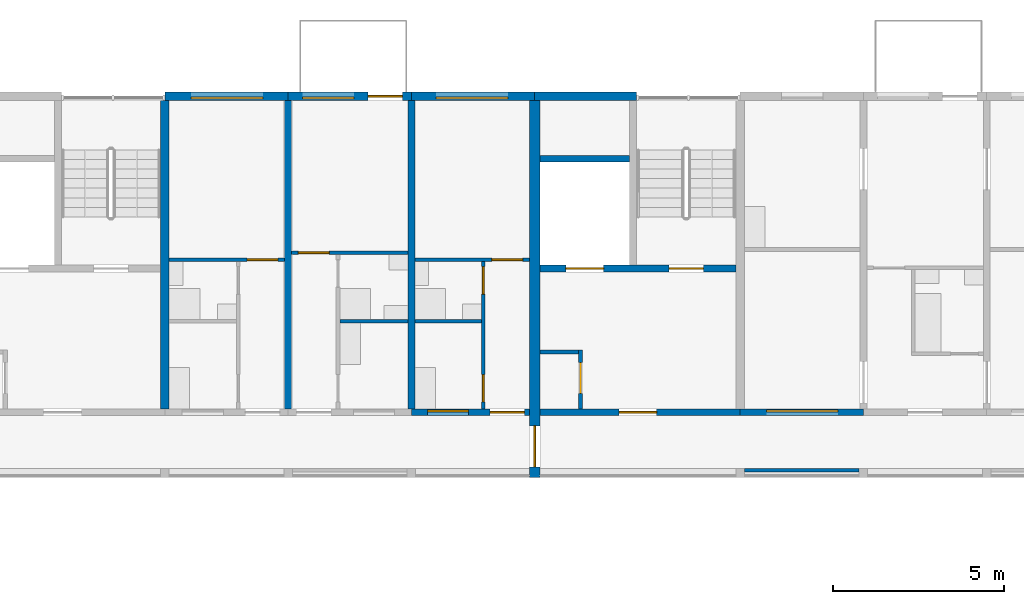
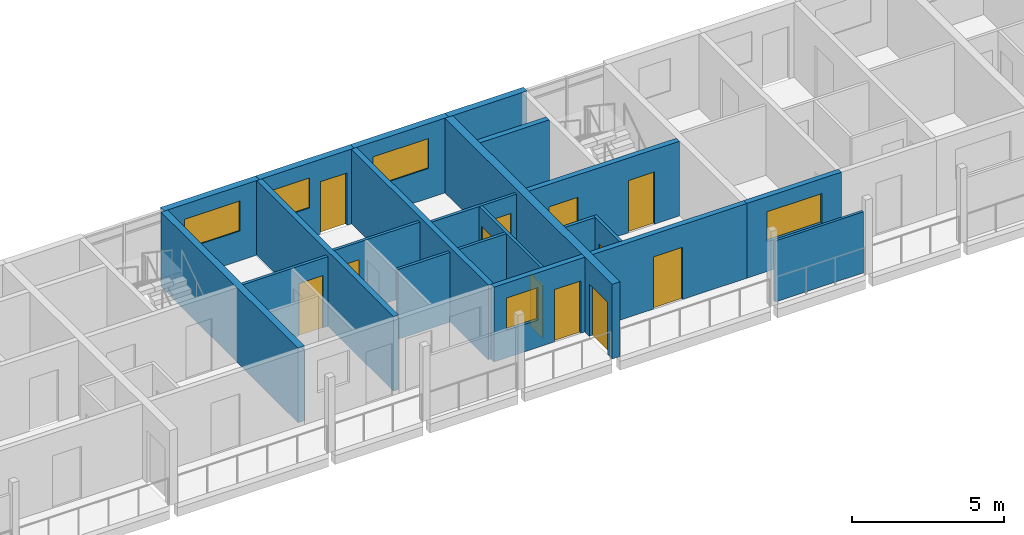
# One storey, part 50 of 115: 22 walls, 12 doors, 5 windows, 17 openings.
"""IFC4 building model written with IfcOpenShell, lengths in metres."""

from ifc_helpers import new_model, si_unit, direction, frame, frame_2d, origin, place, context, subcontext, project, spatial, rectangle, extrude, material, layer, layer_set, type_object, element, fill, save


model = new_model("IFC4")

# Units and contexts
model_context = context("Model", 3, precision=1e-05, world=origin(), true_north=direction((0.0, 1.0)))
body_context = subcontext(model_context, "Body", "Model", "MODEL_VIEW")
ifc_project = project(units=[si_unit("LENGTHUNIT", "METRE"), si_unit("AREAUNIT", "SQUARE_METRE"), si_unit("VOLUMEUNIT", "CUBIC_METRE"), si_unit("PLANEANGLEUNIT", "RADIAN"), si_unit("MASSUNIT", "GRAM", prefix="KILO")], contexts=[model_context])

# Site, building, storey
site_placement = place(None, origin())
site = spatial("IfcSite", under=ifc_project, at=site_placement, CompositionType="ELEMENT")
building_placement = place(site_placement, origin())
building = spatial("IfcBuilding", under=site, at=building_placement, Name="Ridgestep Commons", CompositionType="ELEMENT")
storey_placement = place(building_placement, frame((0.0, 0.0, 6.0)))
storey = spatial("IfcBuildingStorey", under=building, at=storey_placement, Name="L02", CompositionType="ELEMENT", Elevation=6.0)

# Wall
ifc_material_1 = material(Name="Concrete C30/37", Category="concrete")
ifc_layer_1 = layer(ifc_material_1, 0.25)
ifc_layer_set_1 = layer_set([ifc_layer_1], Name="Core cross wall 250")
wall_type_1 = type_object("IfcWallType", Name="Core cross wall 250", PredefinedType="SHEAR", material=ifc_layer_set_1)
wall_1_placement = place(storey_placement, frame((34.800048828125, 68.0, 0.0), z_axis=(0.0, 0.0, 1.0), x_axis=(0.0, 1.0, 0.0)))
element("IfcWall", 1, at=wall_1_placement, inside=storey, type_object=wall_type_1, Name="Cross wall B-02-0348", PredefinedType="SHEAR", context=body_context, shape_type="SweptSolid", body=[
    extrude(rectangle(XDim=9.0, YDim=0.25, at=frame_2d((4.5, 0.0))), origin(), (0.0, 0.0, 1.0), 3.0),
])

# Wall, opening, door
ifc_material_2 = material(Name="Concrete C30/37", Category="concrete")
ifc_layer_2 = layer(ifc_material_2, 0.199951171875)
ifc_layer_set_2 = layer_set([ifc_layer_2], Name="Core south wall 200")
wall_type_2 = type_object("IfcWallType", Name="Core south wall 200", PredefinedType="SHEAR", material=ifc_layer_set_2)
wall_2_placement = place(storey_placement, frame((45.75, 67.89990234375, 0.0), z_axis=(0.0, 0.0, 1.0), x_axis=(1.0, 0.0, 0.0)))
wall_2 = element("IfcWall", 2, at=wall_2_placement, inside=storey, type_object=wall_type_2, Name="Core south wall B3C L02", PredefinedType="SHEAR", context=body_context, shape_type="SweptSolid", body=[
    extrude(rectangle(XDim=5.85009765625, YDim=0.199951171875, at=frame_2d((2.925048828125, 0.0))), origin(), (0.0, 0.0, 1.0), 3.0),
])
opening_1_placement = place(wall_2_placement, frame((2.3125, 0.0, 0.0)))
opening_1 = element("IfcOpeningElement", 3, at=opening_1_placement, cuts=wall_2, Name="Opening B3C/02/1", PredefinedType="OPENING", context=body_context, shape_type="SweptSolid", body=[
    extrude(rectangle(XDim=1.10009765625, YDim=2.10009765625, at=frame_2d((0.550048828125, 1.050048828125))), frame((0.0, 0.10986328125, 0.0), z_axis=(0.0, -1.0, 0.0), x_axis=(1.0, 0.0, 0.0)), (0.0, 0.0, 1.0), 0.219970703125),
])
ifc_material_3 = material(Name="Steel fire door", Category="steel")
door_type_1 = type_object("IfcDoorType", Name="Lobby door 1100 x 2100 FD60", OperationType="NOTDEFINED", PredefinedType="DOOR", material=ifc_material_3)
door_1_placement = place(opening_1_placement, origin())
door_1 = element("IfcDoor", 4, at=door_1_placement, inside=storey, type_object=door_type_1, Name="Lobby door B3C/02/1", OperationType="SINGLE_SWING_LEFT", OverallHeight=2.10009765625, OverallWidth=1.10009765625, PredefinedType="DOOR", context=body_context, shape_type="SweptSolid", body=[
    extrude(rectangle(XDim=1.10009765625, YDim=2.10009765625, at=frame_2d((0.550048828125, 1.050048828125))), frame((0.0, 0.02490234375, 0.0), z_axis=(0.0, -1.0, 0.0), x_axis=(1.0, 0.0, 0.0)), (0.0, 0.0, 1.0), 0.050048828125),
])
fill(opening_1, door_1)

ifc_material_4 = material(Name="Concrete C30/37", Category="concrete")
ifc_layer_3 = layer(ifc_material_4, 0.1201171875)
ifc_layer_set_3 = layer_set([ifc_layer_3], Name="Core wall 120")
wall_type_3 = type_object("IfcWallType", Name="Core wall 120", PredefinedType="SHEAR", material=ifc_layer_set_3)
wall_3_placement = place(storey_placement, frame((46.93994140625, 68.0, 0.0), z_axis=(0.0, 0.0, 1.0), x_axis=(0.0, 1.0, 0.0)))
wall_3 = element("IfcWall", 5, at=wall_3_placement, inside=storey, type_object=wall_type_3, Name="Core riser w wall B3C L02", PredefinedType="SHEAR", context=body_context, shape_type="SweptSolid", body=[
    extrude(rectangle(XDim=1.719970703125, YDim=0.1201171875, at=frame_2d((0.85986328125, 0.0))), origin(), (0.0, 0.0, 1.0), 3.0),
])
opening_2_placement = place(wall_3_placement, frame((0.449951171875, 0.0, 0.0)))
opening_2 = element("IfcOpeningElement", 6, at=opening_2_placement, cuts=wall_3, Name="Opening B3C/02/4", PredefinedType="OPENING", context=body_context, shape_type="SweptSolid", body=[
    extrude(rectangle(XDim=0.89990234375, YDim=2.10009765625, at=frame_2d((0.449951171875, 1.050048828125))), frame((0.0, 0.070068359375, 0.0), z_axis=(0.0, -1.0, 0.0), x_axis=(1.0, 0.0, 0.0)), (0.0, 0.0, 1.0), 0.14013671875),
])
ifc_material_5 = material(Name="Steel fire door", Category="steel")
door_type_2 = type_object("IfcDoorType", Name="Riser door 900 x 2100 FD60", OperationType="NOTDEFINED", PredefinedType="DOOR", material=ifc_material_5)
door_2_placement = place(opening_2_placement, origin())
door_2 = element("IfcDoor", 7, at=door_2_placement, inside=storey, type_object=door_type_2, Name="Riser door B3C/02/4", OperationType="SINGLE_SWING_RIGHT", OverallHeight=2.10009765625, OverallWidth=0.89990234375, PredefinedType="DOOR", context=body_context, shape_type="SweptSolid", body=[
    extrude(rectangle(XDim=0.89990234375, YDim=2.10009765625, at=frame_2d((0.449951171875, 1.050048828125))), frame((0.0, 0.02490234375, 0.0), z_axis=(0.0, -1.0, 0.0), x_axis=(1.0, 0.0, 0.0)), (0.0, 0.0, 1.0), 0.050048828125),
])
fill(opening_2, door_2)

# Wall
wall_4_placement = place(storey_placement, frame((45.75, 69.659912109375, 0.0), z_axis=(0.0, 0.0, 1.0), x_axis=(1.0, 0.0, 0.0)))
element("IfcWall", 8, at=wall_4_placement, inside=storey, type_object=wall_type_3, Name="Core riser n wall B3C L02", PredefinedType="SHEAR", context=body_context, shape_type="SweptSolid", body=[
    extrude(rectangle(XDim=1.1298828125, YDim=0.1201171875, at=frame_2d((0.56494140625, 0.0))), origin(), (0.0, 0.0, 1.0), 3.0),
])

# Wall, openings, doors
ifc_material_6 = material(Name="Concrete C30/37", Category="concrete")
ifc_layer_4 = layer(ifc_material_6, 0.199951171875)
ifc_layer_set_4 = layer_set([ifc_layer_4], Name="Core wall 200")
wall_type_4 = type_object("IfcWallType", Name="Core wall 200", PredefinedType="SHEAR", material=ifc_layer_set_4)
wall_5_placement = place(storey_placement, frame((45.75, 72.10009765625, 0.0), z_axis=(0.0, 0.0, 1.0), x_axis=(1.0, 0.0, 0.0)))
wall_5 = element("IfcWall", 9, at=wall_5_placement, inside=storey, type_object=wall_type_4, Name="Core lobby wall B3C L02", PredefinedType="SHEAR", context=body_context, shape_type="SweptSolid", body=[
    extrude(rectangle(XDim=5.72509765625, YDim=0.199951171875, at=frame_2d((2.862548828125, 0.0))), origin(), (0.0, 0.0, 1.0), 3.0),
])
opening_3_placement = place(wall_5_placement, frame((3.77490234375, 0.0, 0.0)))
opening_3 = element("IfcOpeningElement", 10, at=opening_3_placement, cuts=wall_5, Name="Opening B3C/02/2", PredefinedType="OPENING", context=body_context, shape_type="SweptSolid", body=[
    extrude(rectangle(XDim=1.0, YDim=2.10009765625, at=frame_2d((0.5, 1.050048828125))), frame((0.0, 0.10986328125, 0.0), z_axis=(0.0, -1.0, 0.0), x_axis=(1.0, 0.0, 0.0)), (0.0, 0.0, 1.0), 0.219970703125),
])
opening_4_placement = place(wall_5_placement, frame((0.762451171875, 0.0, 0.0)))
opening_4 = element("IfcOpeningElement", 11, at=opening_4_placement, cuts=wall_5, Name="Opening B3C/02/3", PredefinedType="OPENING", context=body_context, shape_type="SweptSolid", body=[
    extrude(rectangle(XDim=1.10009765625, YDim=2.10009765625, at=frame_2d((0.550048828125, 1.050048828125))), frame((0.0, 0.10986328125, 0.0), z_axis=(0.0, -1.0, 0.0), x_axis=(1.0, 0.0, 0.0)), (0.0, 0.0, 1.0), 0.219970703125),
])
ifc_material_7 = material(Name="Stainless steel", Category="steel")
door_type_3 = type_object("IfcDoorType", Name="Lift landing door 1100 x 2100 FD60", OperationType="DOUBLE_DOOR_SLIDING", PredefinedType="DOOR", material=ifc_material_7)
door_3_placement = place(opening_4_placement, origin())
door_3 = element("IfcDoor", 12, at=door_3_placement, inside=storey, type_object=door_type_3, Name="Landing door LD B3C L02", OperationType="DOUBLE_DOOR_SLIDING", OverallHeight=2.10009765625, OverallWidth=1.10009765625, PredefinedType="DOOR", context=body_context, shape_type="SweptSolid", body=[
    extrude(rectangle(XDim=1.10009765625, YDim=2.10009765625, at=frame_2d((0.550048828125, 1.050048828125))), frame((0.0, 0.02490234375, 0.0), z_axis=(0.0, -1.0, 0.0), x_axis=(1.0, 0.0, 0.0)), (0.0, 0.0, 1.0), 0.050048828125),
])
fill(opening_4, door_3)
ifc_material_8 = material(Name="Steel fire door", Category="steel")
door_type_4 = type_object("IfcDoorType", Name="Stair door 1000 x 2100 FD60", OperationType="NOTDEFINED", PredefinedType="DOOR", material=ifc_material_8)
door_4_placement = place(opening_3_placement, origin())
door_4 = element("IfcDoor", 13, at=door_4_placement, inside=storey, type_object=door_type_4, Name="Stair door B3C/02/2", OperationType="SINGLE_SWING_RIGHT", OverallHeight=2.10009765625, OverallWidth=1.0, PredefinedType="DOOR", context=body_context, shape_type="SweptSolid", body=[
    extrude(rectangle(XDim=1.0, YDim=2.10009765625, at=frame_2d((0.5, 1.050048828125))), frame((0.0, 0.02490234375, 0.0), z_axis=(0.0, -1.0, 0.0), x_axis=(1.0, 0.0, 0.0)), (0.0, 0.0, 1.0), 0.050048828125),
])
fill(opening_3, door_4)

# Walls
wall_6_placement = place(storey_placement, frame((45.75, 75.300048828125, 0.0), z_axis=(0.0, 0.0, 1.0), x_axis=(1.0, 0.0, 0.0)))
element("IfcWall", 14, at=wall_6_placement, inside=storey, type_object=wall_type_4, Name="Core duct wall B3C L02", PredefinedType="SHEAR", context=body_context, shape_type="SweptSolid", body=[
    extrude(rectangle(XDim=2.625, YDim=0.199951171875, at=frame_2d((1.3125, 0.0))), origin(), (0.0, 0.0, 1.0), 3.0),
])
ifc_material_9 = material(Name="Precast concrete C40/50", Category="concrete")
ifc_layer_5 = layer(ifc_material_9, 0.199951171875)
ifc_layer_set_5 = layer_set([ifc_layer_5], Name="Cross wall 200")
wall_type_5 = type_object("IfcWallType", Name="Cross wall 200", PredefinedType="SHEAR", material=ifc_layer_set_5)
for number, where, z_axis, x_axis, name in (
    (15, (38.39990234375, 68.0, 0.0), (0.0, 0.0, 1.0), (0.0, 1.0, 0.0), "Cross wall B-02-0384"),
    (16, (42.0, 68.0, 0.0), (0.0, 0.0, 1.0), (0.0, 1.0, 0.0), "Cross wall B-02-0420"),
):
    element("IfcWall", number, at=place(storey_placement, frame(where, z_axis=z_axis, x_axis=x_axis)), inside=storey, type_object=wall_type_5, Name=name, PredefinedType="SHEAR", context=body_context, shape_type="SweptSolid", body=[
        extrude(rectangle(XDim=9.0, YDim=0.199951171875, at=frame_2d((4.5, 0.0))), origin(), (0.0, 0.0, 1.0), 3.0),
    ])

# Wall, opening, door
ifc_material_10 = material(Name="Precast concrete C40/50", Category="concrete")
ifc_layer_6 = layer(ifc_material_10, 0.300048828125)
ifc_layer_set_6 = layer_set([ifc_layer_6], Name="Division wall 300")
wall_type_6 = type_object("IfcWallType", Name="Division wall 300", PredefinedType="SHEAR", material=ifc_layer_set_6)
wall_7_placement = place(storey_placement, frame((45.60009765625, 66.0, 0.0), z_axis=(0.0, 0.0, 1.0), x_axis=(0.0, 1.0, 0.0)))
wall_7 = element("IfcWall", 17, at=wall_7_placement, inside=storey, type_object=wall_type_6, Name="Cross wall B-02-0456", PredefinedType="SHEAR", context=body_context, shape_type="SweptSolid", body=[
    extrude(rectangle(XDim=11.0, YDim=0.300048828125, at=frame_2d((5.5, 0.0))), origin(), (0.0, 0.0, 1.0), 3.0),
])
opening_5_placement = place(wall_7_placement, frame((0.300048828125, 0.0, 0.0)))
opening_5 = element("IfcOpeningElement", 18, at=opening_5_placement, cuts=wall_7, Name="Opening B/02/G0456", PredefinedType="OPENING", context=body_context, shape_type="SweptSolid", body=[
    extrude(rectangle(XDim=1.199951171875, YDim=2.10009765625, at=frame_2d((0.60009765625, 1.050048828125))), frame((0.0, 0.159912109375, 0.0), z_axis=(0.0, -1.0, 0.0), x_axis=(1.0, 0.0, 0.0)), (0.0, 0.0, 1.0), 0.320068359375),
])
ifc_material_11 = material(Name="Steel fire door", Category="steel")
door_type_5 = type_object("IfcDoorType", Name="Division fire door 1200 x 2100 EI 240", OperationType="DOUBLE_DOOR_SINGLE_SWING", PredefinedType="DOOR", material=ifc_material_11)
door_5_placement = place(opening_5_placement, origin())
door_5 = element("IfcDoor", 19, at=door_5_placement, inside=storey, type_object=door_type_5, Name="Division fire door B/02/G0456", OperationType="DOUBLE_DOOR_SINGLE_SWING", OverallHeight=2.10009765625, OverallWidth=1.199951171875, PredefinedType="DOOR", context=body_context, shape_type="SweptSolid", body=[
    extrude(rectangle(XDim=1.199951171875, YDim=2.10009765625, at=frame_2d((0.60009765625, 1.050048828125))), frame((0.0, 0.02490234375, 0.0), z_axis=(0.0, -1.0, 0.0), x_axis=(1.0, 0.0, 0.0)), (0.0, 0.0, 1.0), 0.050048828125),
])
fill(opening_5, door_5)

# Wall, opening, window
ifc_material_12 = material(Name="Precast concrete C40/50", Category="concrete")
ifc_layer_7 = layer(ifc_material_12, 0.25)
ifc_layer_set_7 = layer_set([ifc_layer_7], Name="North facade panel 250")
wall_type_7 = type_object("IfcWallType", Name="North facade panel 250", PredefinedType="SOLIDWALL", material=ifc_layer_set_7)
wall_8_placement = place(storey_placement, frame((34.800048828125, 77.125, 0.0), z_axis=(0.0, 0.0, 1.0), x_axis=(1.0, 0.0, 0.0)))
wall_8 = element("IfcWall", 20, at=wall_8_placement, inside=storey, type_object=wall_type_7, Name="North panel B2T3 L02", PredefinedType="SOLIDWALL", context=body_context, shape_type="SweptSolid", body=[
    extrude(rectangle(XDim=3.599853515625, YDim=0.25, at=frame_2d((1.7998046875, 0.0))), origin(), (0.0, 0.0, 1.0), 3.0),
])
opening_6_placement = place(wall_8_placement, frame((0.762451171875, 0.0, 1.199951171875)))
opening_6 = element("IfcOpeningElement", 21, at=opening_6_placement, cuts=wall_8, Name="Opening W22", PredefinedType="OPENING", context=body_context, shape_type="SweptSolid", body=[
    extrude(rectangle(XDim=2.10009765625, YDim=1.199951171875, at=frame_2d((1.050048828125, 0.60009765625))), frame((0.0, 0.135009765625, 0.0), z_axis=(0.0, -1.0, 0.0), x_axis=(1.0, 0.0, 0.0)), (0.0, 0.0, 1.0), 0.27001953125),
])
ifc_material_13 = material(Name="Aluminium 6063-T6 and glass", Category="aluminium")
window_type_1 = type_object("IfcWindowType", Name="Flat window 2100 x 1200", PartitioningType="DOUBLE_PANEL_VERTICAL", PredefinedType="WINDOW", material=ifc_material_13)
window_1_placement = place(opening_6_placement, origin())
window_1 = element("IfcWindow", 22, at=window_1_placement, inside=storey, type_object=window_type_1, Name="Window B2-02c 2", OverallHeight=1.199951171875, OverallWidth=2.10009765625, PartitioningType="SINGLE_PANEL", PredefinedType="WINDOW", context=body_context, shape_type="SweptSolid", body=[
    extrude(rectangle(XDim=2.10009765625, YDim=1.199951171875, at=frame_2d((1.050048828125, 0.60009765625))), frame((0.0, -0.02490234375, 0.0), z_axis=(0.0, -1.0, 0.0), x_axis=(1.0, 0.0, 0.0)), (0.0, 0.0, 1.0), 0.06005859375),
])
fill(opening_6, window_1)

# Wall, openings, door, window
wall_9_placement = place(storey_placement, frame((38.39990234375, 77.125, 0.0), z_axis=(0.0, 0.0, 1.0), x_axis=(1.0, 0.0, 0.0)))
wall_9 = element("IfcWall", 23, at=wall_9_placement, inside=storey, type_object=wall_type_7, Name="North panel B2T2 L02", PredefinedType="SOLIDWALL", context=body_context, shape_type="SweptSolid", body=[
    extrude(rectangle(XDim=3.60009765625, YDim=0.25, at=frame_2d((1.800048828125, 0.0))), origin(), (0.0, 0.0, 1.0), 3.0),
])
opening_7_placement = place(wall_9_placement, frame((0.4169921875, 0.0, 1.199951171875)))
opening_7 = element("IfcOpeningElement", 24, at=opening_7_placement, cuts=wall_9, Name="Opening W13", PredefinedType="OPENING", context=body_context, shape_type="SweptSolid", body=[
    extrude(rectangle(XDim=1.5, YDim=1.199951171875, at=frame_2d((0.75, 0.60009765625))), frame((0.0, 0.135009765625, 0.0), z_axis=(0.0, -1.0, 0.0), x_axis=(1.0, 0.0, 0.0)), (0.0, 0.0, 1.0), 0.27001953125),
])
opening_8_placement = place(wall_9_placement, frame((2.333984375, 0.0, 0.0)))
opening_8 = element("IfcOpeningElement", 25, at=opening_8_placement, cuts=wall_9, Name="Opening B2-02b/5", PredefinedType="OPENING", context=body_context, shape_type="SweptSolid", body=[
    extrude(rectangle(XDim=1.0, YDim=2.10009765625, at=frame_2d((0.5, 1.050048828125))), frame((0.0, 0.135009765625, 0.0), z_axis=(0.0, -1.0, 0.0), x_axis=(1.0, 0.0, 0.0)), (0.0, 0.0, 1.0), 0.27001953125),
])
ifc_material_14 = material(Name="Aluminium and glass", Category="aluminium")
door_type_6 = type_object("IfcDoorType", Name="Balcony door 1000 x 2100", OperationType="NOTDEFINED", PredefinedType="DOOR", material=ifc_material_14)
door_6_placement = place(opening_8_placement, origin())
door_6 = element("IfcDoor", 26, at=door_6_placement, inside=storey, type_object=door_type_6, Name="Balcony door B2-02b/5", OperationType="SINGLE_SWING_LEFT", OverallHeight=2.10009765625, OverallWidth=1.0, PredefinedType="DOOR", context=body_context, shape_type="SweptSolid", body=[
    extrude(rectangle(XDim=1.0, YDim=2.10009765625, at=frame_2d((0.5, 1.050048828125))), frame((0.0, 0.02490234375, 0.0), z_axis=(0.0, -1.0, 0.0), x_axis=(1.0, 0.0, 0.0)), (0.0, 0.0, 1.0), 0.050048828125),
])
fill(opening_8, door_6)
ifc_material_15 = material(Name="Aluminium 6063-T6 and glass", Category="aluminium")
window_type_2 = type_object("IfcWindowType", Name="Flat window 1500 x 1200", PartitioningType="DOUBLE_PANEL_VERTICAL", PredefinedType="WINDOW", material=ifc_material_15)
window_2_placement = place(opening_7_placement, origin())
window_2 = element("IfcWindow", 27, at=window_2_placement, inside=storey, type_object=window_type_2, Name="Window B2-02b 2", OverallHeight=1.199951171875, OverallWidth=1.5, PartitioningType="SINGLE_PANEL", PredefinedType="WINDOW", context=body_context, shape_type="SweptSolid", body=[
    extrude(rectangle(XDim=1.5, YDim=1.199951171875, at=frame_2d((0.75, 0.60009765625))), frame((0.0, -0.02490234375, 0.0), z_axis=(0.0, -1.0, 0.0), x_axis=(1.0, 0.0, 0.0)), (0.0, 0.0, 1.0), 0.06005859375),
])
fill(opening_7, window_2)

# Wall, opening, window
wall_10_placement = place(storey_placement, frame((42.0, 77.125, 0.0), z_axis=(0.0, 0.0, 1.0), x_axis=(1.0, 0.0, 0.0)))
wall_10 = element("IfcWall", 28, at=wall_10_placement, inside=storey, type_object=wall_type_7, Name="North panel B2T1 L02", PredefinedType="SOLIDWALL", context=body_context, shape_type="SweptSolid", body=[
    extrude(rectangle(XDim=3.60009765625, YDim=0.25, at=frame_2d((1.800048828125, 0.0))), origin(), (0.0, 0.0, 1.0), 3.0),
])
opening_9_placement = place(wall_10_placement, frame((0.72509765625, 0.0, 1.199951171875)))
opening_9 = element("IfcOpeningElement", 29, at=opening_9_placement, cuts=wall_10, Name="Opening W22", PredefinedType="OPENING", context=body_context, shape_type="SweptSolid", body=[
    extrude(rectangle(XDim=2.10009765625, YDim=1.199951171875, at=frame_2d((1.050048828125, 0.60009765625))), frame((0.0, 0.135009765625, 0.0), z_axis=(0.0, -1.0, 0.0), x_axis=(1.0, 0.0, 0.0)), (0.0, 0.0, 1.0), 0.27001953125),
])
window_3_placement = place(opening_9_placement, origin())
window_3 = element("IfcWindow", 30, at=window_3_placement, inside=storey, type_object=window_type_1, Name="Window B2-02a 2", OverallHeight=1.199951171875, OverallWidth=2.10009765625, PartitioningType="SINGLE_PANEL", PredefinedType="WINDOW", context=body_context, shape_type="SweptSolid", body=[
    extrude(rectangle(XDim=2.10009765625, YDim=1.199951171875, at=frame_2d((1.050048828125, 0.60009765625))), frame((0.0, -0.02490234375, 0.0), z_axis=(0.0, -1.0, 0.0), x_axis=(1.0, 0.0, 0.0)), (0.0, 0.0, 1.0), 0.06005859375),
])
fill(opening_9, window_3)

# Walls
wall_11_placement = place(storey_placement, frame((45.60009765625, 77.125, 0.0), z_axis=(0.0, 0.0, 1.0), x_axis=(1.0, 0.0, 0.0)))
element("IfcWall", 31, at=wall_11_placement, inside=storey, type_object=wall_type_7, Name="North panel B3C L02", PredefinedType="SOLIDWALL", context=body_context, shape_type="SweptSolid", body=[
    extrude(rectangle(XDim=2.974853515625, YDim=0.25, at=frame_2d((1.4873046875, 0.0))), origin(), (0.0, 0.0, 1.0), 3.0),
])
ifc_material_16 = material(Name="Common brick 110 mm", Category="masonry")
ifc_layer_8 = layer(ifc_material_16, 0.110107421875)
ifc_layer_set_8 = layer_set([ifc_layer_8], Name="Partition 110")
wall_type_8 = type_object("IfcWallType", Name="Partition 110", PredefinedType="PARTITIONING", material=ifc_layer_set_8)
wall_12_placement = place(storey_placement, frame((42.10009765625, 70.554931640625, 0.0), z_axis=(0.0, 0.0, 1.0), x_axis=(1.0, 0.0, 0.0)))
element("IfcWall", 32, at=wall_12_placement, inside=storey, type_object=wall_type_8, Name="Partition B2-02a", PredefinedType="PARTITIONING", context=body_context, shape_type="SweptSolid", body=[
    extrude(rectangle(XDim=1.93994140625, YDim=0.110107421875, at=frame_2d((0.969970703125, 0.0))), origin(), (0.0, 0.0, 1.0), 2.800048828125),
])

# Wall, openings, doors
wall_13_placement = place(storey_placement, frame((44.094970703125, 68.0, 0.0), z_axis=(0.0, 0.0, 1.0), x_axis=(0.0, 1.0, 0.0)))
wall_13 = element("IfcWall", 33, at=wall_13_placement, inside=storey, type_object=wall_type_8, Name="Partition B2-02a", PredefinedType="PARTITIONING", context=body_context, shape_type="SweptSolid", body=[
    extrude(rectangle(XDim=4.300048828125, YDim=0.110107421875, at=frame_2d((2.14990234375, 0.0))), origin(), (0.0, 0.0, 1.0), 2.800048828125),
])
opening_10_placement = place(wall_13_placement, frame((0.199951171875, 0.0, 0.0)))
opening_10 = element("IfcOpeningElement", 34, at=opening_10_placement, cuts=wall_13, Name="Opening B2-02a/2", PredefinedType="OPENING", context=body_context, shape_type="SweptSolid", body=[
    extrude(rectangle(XDim=0.800048828125, YDim=2.10009765625, at=frame_2d((0.39990234375, 1.050048828125))), frame((0.0, 0.06494140625, 0.0), z_axis=(0.0, -1.0, 0.0), x_axis=(1.0, 0.0, 0.0)), (0.0, 0.0, 1.0), 0.130126953125),
])
opening_11_placement = place(wall_13_placement, frame((3.35009765625, 0.0, 0.0)))
opening_11 = element("IfcOpeningElement", 35, at=opening_11_placement, cuts=wall_13, Name="Opening B2-02a/3", PredefinedType="OPENING", context=body_context, shape_type="SweptSolid", body=[
    extrude(rectangle(XDim=0.800048828125, YDim=2.10009765625, at=frame_2d((0.39990234375, 1.050048828125))), frame((0.0, 0.06494140625, 0.0), z_axis=(0.0, -1.0, 0.0), x_axis=(1.0, 0.0, 0.0)), (0.0, 0.0, 1.0), 0.130126953125),
])
ifc_material_17 = material(Name="Timber door leaf", Category="wood")
door_type_7 = type_object("IfcDoorType", Name="Internal door 800 x 2100", OperationType="NOTDEFINED", PredefinedType="DOOR", material=ifc_material_17)
door_7_placement = place(opening_10_placement, origin())
door_7 = element("IfcDoor", 36, at=door_7_placement, inside=storey, type_object=door_type_7, Name="Internal door B2-02a/2", OperationType="SINGLE_SWING_LEFT", OverallHeight=2.10009765625, OverallWidth=0.800048828125, PredefinedType="DOOR", context=body_context, shape_type="SweptSolid", body=[
    extrude(rectangle(XDim=0.800048828125, YDim=2.10009765625, at=frame_2d((0.39990234375, 1.050048828125))), frame((0.0, 0.02490234375, 0.0), z_axis=(0.0, -1.0, 0.0), x_axis=(1.0, 0.0, 0.0)), (0.0, 0.0, 1.0), 0.050048828125),
])
fill(opening_10, door_7)
door_8_placement = place(opening_11_placement, origin())
door_8 = element("IfcDoor", 37, at=door_8_placement, inside=storey, type_object=door_type_7, Name="Internal door B2-02a/3", OperationType="SINGLE_SWING_RIGHT", OverallHeight=2.10009765625, OverallWidth=0.800048828125, PredefinedType="DOOR", context=body_context, shape_type="SweptSolid", body=[
    extrude(rectangle(XDim=0.800048828125, YDim=2.10009765625, at=frame_2d((0.39990234375, 1.050048828125))), frame((0.0, 0.02490234375, 0.0), z_axis=(0.0, -1.0, 0.0), x_axis=(1.0, 0.0, 0.0)), (0.0, 0.0, 1.0), 0.050048828125),
])
fill(opening_11, door_8)

# Wall, opening, door
wall_14_placement = place(storey_placement, frame((42.10009765625, 72.35498046875, 0.0), z_axis=(0.0, 0.0, 1.0), x_axis=(1.0, 0.0, 0.0)))
wall_14 = element("IfcWall", 38, at=wall_14_placement, inside=storey, type_object=wall_type_8, Name="Partition B2-02a", PredefinedType="PARTITIONING", context=body_context, shape_type="SweptSolid", body=[
    extrude(rectangle(XDim=3.349853515625, YDim=0.110107421875, at=frame_2d((1.6748046875, 0.0))), origin(), (0.0, 0.0, 1.0), 2.800048828125),
])
opening_12_placement = place(wall_14_placement, frame((2.25, 0.0, 0.0)))
opening_12 = element("IfcOpeningElement", 39, at=opening_12_placement, cuts=wall_14, Name="Opening B2-02a/4", PredefinedType="OPENING", context=body_context, shape_type="SweptSolid", body=[
    extrude(rectangle(XDim=0.89990234375, YDim=2.10009765625, at=frame_2d((0.449951171875, 1.050048828125))), frame((0.0, 0.06494140625, 0.0), z_axis=(0.0, -1.0, 0.0), x_axis=(1.0, 0.0, 0.0)), (0.0, 0.0, 1.0), 0.130126953125),
])
ifc_material_18 = material(Name="Timber door leaf", Category="wood")
door_type_8 = type_object("IfcDoorType", Name="Internal door 900 x 2100", OperationType="NOTDEFINED", PredefinedType="DOOR", material=ifc_material_18)
door_9_placement = place(opening_12_placement, origin())
door_9 = element("IfcDoor", 40, at=door_9_placement, inside=storey, type_object=door_type_8, Name="Internal door B2-02a/4", OperationType="SINGLE_SWING_LEFT", OverallHeight=2.10009765625, OverallWidth=0.89990234375, PredefinedType="DOOR", context=body_context, shape_type="SweptSolid", body=[
    extrude(rectangle(XDim=0.89990234375, YDim=2.10009765625, at=frame_2d((0.449951171875, 1.050048828125))), frame((0.0, 0.02490234375, 0.0), z_axis=(0.0, -1.0, 0.0), x_axis=(1.0, 0.0, 0.0)), (0.0, 0.0, 1.0), 0.050048828125),
])
fill(opening_12, door_9)

# Wall
wall_15_placement = place(storey_placement, frame((39.909912109375, 70.554931640625, 0.0), z_axis=(0.0, 0.0, 1.0), x_axis=(1.0, 0.0, 0.0)))
element("IfcWall", 41, at=wall_15_placement, inside=storey, type_object=wall_type_8, Name="Partition B2-02b", PredefinedType="PARTITIONING", context=body_context, shape_type="SweptSolid", body=[
    extrude(rectangle(XDim=1.989990234375, YDim=0.110107421875, at=frame_2d((0.9951171875, 0.0))), origin(), (0.0, 0.0, 1.0), 2.800048828125),
])

# Wall, opening, door
wall_16_placement = place(storey_placement, frame((38.5, 72.554931640625, 0.0), z_axis=(0.0, 0.0, 1.0), x_axis=(1.0, 0.0, 0.0)))
wall_16 = element("IfcWall", 42, at=wall_16_placement, inside=storey, type_object=wall_type_8, Name="Partition B2-02b", PredefinedType="PARTITIONING", context=body_context, shape_type="SweptSolid", body=[
    extrude(rectangle(XDim=3.39990234375, YDim=0.110107421875, at=frame_2d((1.699951171875, 0.0))), origin(), (0.0, 0.0, 1.0), 2.800048828125),
])
opening_13_placement = place(wall_16_placement, frame((0.199951171875, 0.0, 0.0)))
opening_13 = element("IfcOpeningElement", 43, at=opening_13_placement, cuts=wall_16, Name="Opening B2-02b/4", PredefinedType="OPENING", context=body_context, shape_type="SweptSolid", body=[
    extrude(rectangle(XDim=0.89990234375, YDim=2.10009765625, at=frame_2d((0.449951171875, 1.050048828125))), frame((0.0, 0.06494140625, 0.0), z_axis=(0.0, -1.0, 0.0), x_axis=(1.0, 0.0, 0.0)), (0.0, 0.0, 1.0), 0.130126953125),
])
door_10_placement = place(opening_13_placement, origin())
door_10 = element("IfcDoor", 44, at=door_10_placement, inside=storey, type_object=door_type_8, Name="Internal door B2-02b/4", OperationType="SINGLE_SWING_LEFT", OverallHeight=2.10009765625, OverallWidth=0.89990234375, PredefinedType="DOOR", context=body_context, shape_type="SweptSolid", body=[
    extrude(rectangle(XDim=0.89990234375, YDim=2.10009765625, at=frame_2d((0.449951171875, 1.050048828125))), frame((0.0, 0.02490234375, 0.0), z_axis=(0.0, -1.0, 0.0), x_axis=(1.0, 0.0, 0.0)), (0.0, 0.0, 1.0), 0.050048828125),
])
fill(opening_13, door_10)

wall_17_placement = place(storey_placement, frame((34.925048828125, 72.35498046875, 0.0), z_axis=(0.0, 0.0, 1.0), x_axis=(1.0, 0.0, 0.0)))
wall_17 = element("IfcWall", 45, at=wall_17_placement, inside=storey, type_object=wall_type_8, Name="Partition B2-02c", PredefinedType="PARTITIONING", context=body_context, shape_type="SweptSolid", body=[
    extrude(rectangle(XDim=3.375, YDim=0.110107421875, at=frame_2d((1.6875, 0.0))), origin(), (0.0, 0.0, 1.0), 2.800048828125),
])
opening_14_placement = place(wall_17_placement, frame((2.27490234375, 0.0, 0.0)))
opening_14 = element("IfcOpeningElement", 46, at=opening_14_placement, cuts=wall_17, Name="Opening B2-02c/4", PredefinedType="OPENING", context=body_context, shape_type="SweptSolid", body=[
    extrude(rectangle(XDim=0.89990234375, YDim=2.10009765625, at=frame_2d((0.449951171875, 1.050048828125))), frame((0.0, 0.06494140625, 0.0), z_axis=(0.0, -1.0, 0.0), x_axis=(1.0, 0.0, 0.0)), (0.0, 0.0, 1.0), 0.130126953125),
])
door_11_placement = place(opening_14_placement, origin())
door_11 = element("IfcDoor", 47, at=door_11_placement, inside=storey, type_object=door_type_8, Name="Internal door B2-02c/4", OperationType="SINGLE_SWING_LEFT", OverallHeight=2.10009765625, OverallWidth=0.89990234375, PredefinedType="DOOR", context=body_context, shape_type="SweptSolid", body=[
    extrude(rectangle(XDim=0.89990234375, YDim=2.10009765625, at=frame_2d((0.449951171875, 1.050048828125))), frame((0.0, 0.02490234375, 0.0), z_axis=(0.0, -1.0, 0.0), x_axis=(1.0, 0.0, 0.0)), (0.0, 0.0, 1.0), 0.050048828125),
])
fill(opening_14, door_11)

# Wall
ifc_material_19 = material(Name="Precast concrete C30/37", Category="concrete")
ifc_layer_9 = layer(ifc_material_19, 0.10009765625)
ifc_layer_set_9 = layer_set([ifc_layer_9], Name="Perforated gallery screen 3350 x 2450 x 100")
wall_type_9 = type_object("IfcWallType", Name="Perforated gallery screen 3350 x 2450 x 100", PredefinedType="SOLIDWALL", material=ifc_layer_set_9)
wall_18_placement = place(storey_placement, frame((51.72509765625, 66.199951171875, 0.0), z_axis=(0.0, 0.0, 1.0), x_axis=(1.0, 0.0, 0.0)))
element("IfcWall", 48, at=wall_18_placement, inside=storey, type_object=wall_type_9, Name="Gallery screen B3T3 02", PredefinedType="SOLIDWALL", context=body_context, shape_type="SweptSolid", body=[
    extrude(rectangle(XDim=3.349853515625, YDim=0.10009765625, at=frame_2d((1.6748046875, 0.0))), origin(), (0.0, 0.0, 1.0), 2.449951171875),
])

# Wall, openings, door, window
ifc_material_20 = material(Name="Precast concrete C40/50", Category="concrete")
ifc_layer_10 = layer(ifc_material_20, 0.199951171875)
ifc_layer_set_10 = layer_set([ifc_layer_10], Name="South facade panel 200")
wall_type_10 = type_object("IfcWallType", Name="South facade panel 200", PredefinedType="SOLIDWALL", material=ifc_layer_set_10)
wall_19_placement = place(storey_placement, frame((42.0, 67.89990234375, 0.0), z_axis=(0.0, 0.0, 1.0), x_axis=(1.0, 0.0, 0.0)))
wall_19 = element("IfcWall", 49, at=wall_19_placement, inside=storey, type_object=wall_type_10, Name="South panel B2T1 L02", PredefinedType="SOLIDWALL", context=body_context, shape_type="SweptSolid", body=[
    extrude(rectangle(XDim=3.449951171875, YDim=0.199951171875, at=frame_2d((1.72509765625, 0.0))), origin(), (0.0, 0.0, 1.0), 3.0),
])
opening_15_placement = place(wall_19_placement, frame((0.469970703125, 0.0, 1.10009765625)))
opening_15 = element("IfcOpeningElement", 50, at=opening_15_placement, cuts=wall_19, Name="Opening W08", PredefinedType="OPENING", context=body_context, shape_type="SweptSolid", body=[
    extrude(rectangle(XDim=1.199951171875, YDim=1.300048828125, at=frame_2d((0.60009765625, 0.64990234375))), frame((0.0, 0.10986328125, 0.0), z_axis=(0.0, -1.0, 0.0), x_axis=(1.0, 0.0, 0.0)), (0.0, 0.0, 1.0), 0.219970703125),
])
opening_16_placement = place(wall_19_placement, frame((2.300048828125, 0.0, 0.0)))
opening_16 = element("IfcOpeningElement", 51, at=opening_16_placement, cuts=wall_19, Name="Opening B2-02a/1", PredefinedType="OPENING", context=body_context, shape_type="SweptSolid", body=[
    extrude(rectangle(XDim=1.0, YDim=2.10009765625, at=frame_2d((0.5, 1.050048828125))), frame((0.0, 0.10986328125, 0.0), z_axis=(0.0, -1.0, 0.0), x_axis=(1.0, 0.0, 0.0)), (0.0, 0.0, 1.0), 0.219970703125),
])
ifc_material_21 = material(Name="Timber door leaf", Category="wood")
door_type_9 = type_object("IfcDoorType", Name="Flat entrance door 1000 x 2100 FD30S", OperationType="NOTDEFINED", PredefinedType="DOOR", material=ifc_material_21)
door_12_placement = place(opening_16_placement, origin())
door_12 = element("IfcDoor", 52, at=door_12_placement, inside=storey, type_object=door_type_9, Name="Flat entrance door B2-02a/1", OperationType="SINGLE_SWING_RIGHT", OverallHeight=2.10009765625, OverallWidth=1.0, PredefinedType="DOOR", context=body_context, shape_type="SweptSolid", body=[
    extrude(rectangle(XDim=1.0, YDim=2.10009765625, at=frame_2d((0.5, 1.050048828125))), frame((0.0, 0.02490234375, 0.0), z_axis=(0.0, -1.0, 0.0), x_axis=(1.0, 0.0, 0.0)), (0.0, 0.0, 1.0), 0.050048828125),
])
fill(opening_16, door_12)
ifc_material_22 = material(Name="Aluminium 6063-T6 and glass", Category="aluminium")
window_type_3 = type_object("IfcWindowType", Name="Flat window 1200 x 1300", PartitioningType="SINGLE_PANEL", PredefinedType="WINDOW", material=ifc_material_22)
window_4_placement = place(opening_15_placement, origin())
window_4 = element("IfcWindow", 53, at=window_4_placement, inside=storey, type_object=window_type_3, Name="Window B2-02a 1", OverallHeight=1.300048828125, OverallWidth=1.199951171875, PartitioningType="SINGLE_PANEL", PredefinedType="WINDOW", context=body_context, shape_type="SweptSolid", body=[
    extrude(rectangle(XDim=1.199951171875, YDim=1.300048828125, at=frame_2d((0.60009765625, 0.64990234375))), frame((0.0, 0.06005859375, 0.0), z_axis=(0.0, -1.0, 0.0), x_axis=(1.0, 0.0, 0.0)), (0.0, 0.0, 1.0), 0.06005859375),
])
fill(opening_15, window_4)

# Wall, opening, window
wall_20_placement = place(storey_placement, frame((51.60009765625, 67.89990234375, 0.0), z_axis=(0.0, 0.0, 1.0), x_axis=(1.0, 0.0, 0.0)))
wall_20 = element("IfcWall", 54, at=wall_20_placement, inside=storey, type_object=wall_type_10, Name="South panel B3T3 L02", PredefinedType="SOLIDWALL", context=body_context, shape_type="SweptSolid", body=[
    extrude(rectangle(XDim=3.599853515625, YDim=0.199951171875, at=frame_2d((1.7998046875, 0.0))), origin(), (0.0, 0.0, 1.0), 3.0),
])
opening_17_placement = place(wall_20_placement, frame((0.762451171875, 0.0, 1.199951171875)))
opening_17 = element("IfcOpeningElement", 55, at=opening_17_placement, cuts=wall_20, Name="Opening W22", PredefinedType="OPENING", context=body_context, shape_type="SweptSolid", body=[
    extrude(rectangle(XDim=2.10009765625, YDim=1.199951171875, at=frame_2d((1.050048828125, 0.60009765625))), frame((0.0, 0.10986328125, 0.0), z_axis=(0.0, -1.0, 0.0), x_axis=(1.0, 0.0, 0.0)), (0.0, 0.0, 1.0), 0.219970703125),
])
window_5_placement = place(opening_17_placement, origin())
window_5 = element("IfcWindow", 56, at=window_5_placement, inside=storey, type_object=window_type_1, Name="Window B3-02a 1", OverallHeight=1.199951171875, OverallWidth=2.10009765625, PartitioningType="SINGLE_PANEL", PredefinedType="WINDOW", context=body_context, shape_type="SweptSolid", body=[
    extrude(rectangle(XDim=2.10009765625, YDim=1.199951171875, at=frame_2d((1.050048828125, 0.60009765625))), frame((0.0, 0.06005859375, 0.0), z_axis=(0.0, -1.0, 0.0), x_axis=(1.0, 0.0, 0.0)), (0.0, 0.0, 1.0), 0.06005859375),
])
fill(opening_17, window_5)

save(model, "model.ifc")
